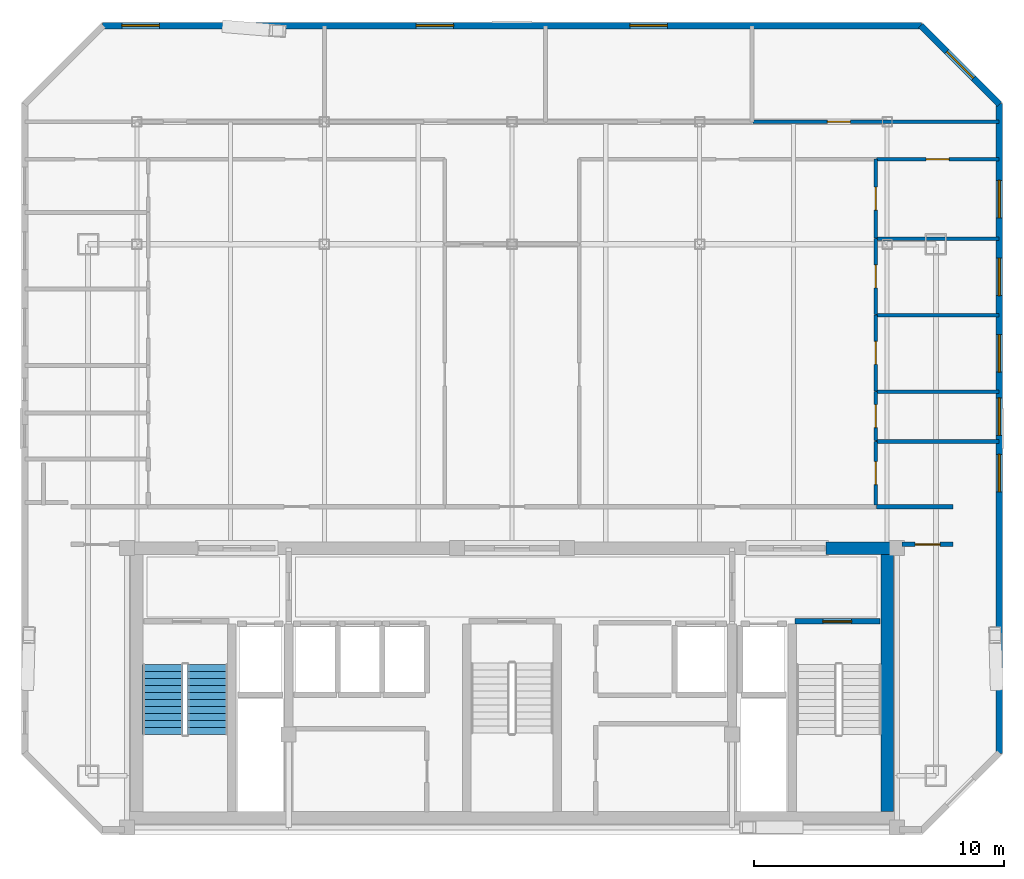
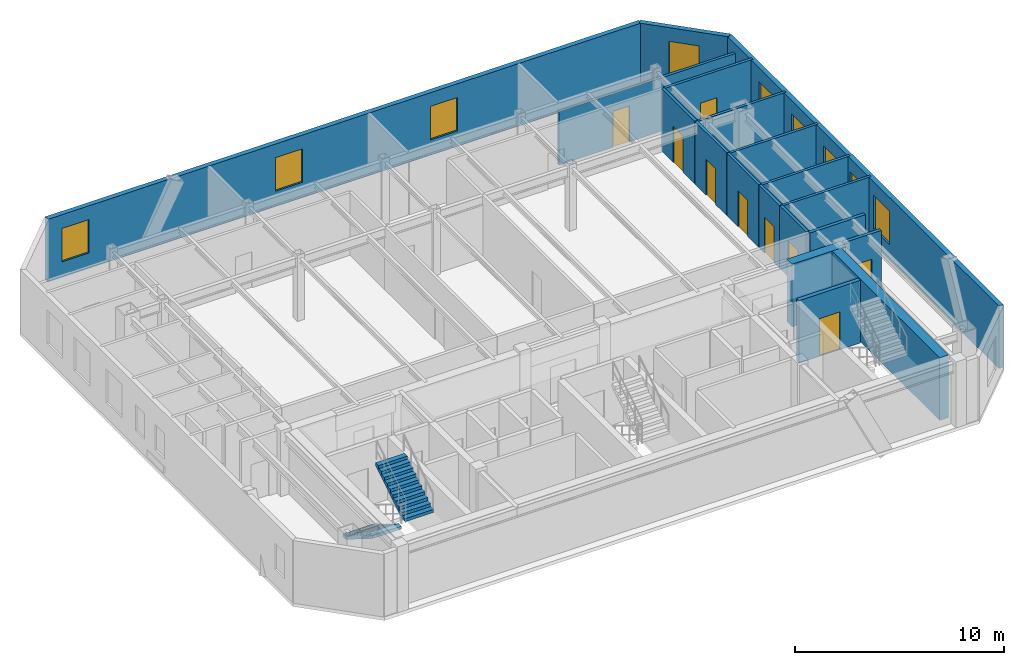
# One storey, part 5 of 7: 19 walls, 9 doors, 9 windows, 2 stair flights, 18 openings, 1 element without a shape of its own.
"""IFC4 building model written with IfcOpenShell, lengths in metres."""

from ifc_helpers import new_model, si_unit, direction, frame, frame_2d, origin, place, context, subcontext, project, spatial, polyline, rectangle, outline, extrude, material, layer, layer_set, type_object, element, fill, aggregate, save


model = new_model("IFC4")

# Units and contexts
model_context = context("Model", 3, precision=1e-05, world=origin(), true_north=direction((0.0, 1.0)))
body_context = subcontext(model_context, "Body", "Model", "MODEL_VIEW")
ifc_project = project(units=[si_unit("LENGTHUNIT", "METRE"), si_unit("AREAUNIT", "SQUARE_METRE"), si_unit("VOLUMEUNIT", "CUBIC_METRE"), si_unit("PLANEANGLEUNIT", "RADIAN"), si_unit("MASSUNIT", "GRAM", prefix="KILO")], contexts=[model_context])

# Site, building, storey
site_placement = place(None, origin())
site = spatial("IfcSite", under=ifc_project, at=site_placement, CompositionType="ELEMENT")
building_placement = place(site_placement, origin())
building = spatial("IfcBuilding", under=site, at=building_placement, Name="Ventersveld Concourse Tower", CompositionType="ELEMENT")
storey_placement = place(building_placement, frame((0.0, 0.0, 324.60009765625)))
storey = spatial("IfcBuildingStorey", under=building, at=storey_placement, Name="L80", CompositionType="ELEMENT", Elevation=324.60009765625)

# Walls
ifc_material_1 = material(Name="Concrete C50/60", Category="concrete")
ifc_layer_1 = layer(ifc_material_1, 0.5)
ifc_layer_set_1 = layer_set([ifc_layer_1], Name="Concrete C50/60")
wall_type_1 = type_object("IfcWallType", Name="WL-CORE-500", PredefinedType="SHEAR", material=ifc_layer_set_1)
wall_1_placement = place(storey_placement, frame((43.75, 0.919921875, 0.0), z_axis=(0.0, 0.0, 1.0), x_axis=(0.0, 1.0, 0.0)))
element("IfcWall", 1, at=wall_1_placement, inside=storey, type_object=wall_type_1, Name="L80 Rear Core East Shear Wall", PredefinedType="SHEAR", context=body_context, shape_type="SweptSolid", body=[
    extrude(rectangle(XDim=10.530029296875, YDim=0.5, at=frame_2d((5.26513671875, 0.0))), origin(), (0.0, 0.0, 1.0), 3.64990234375),
])
wall_2_placement = place(storey_placement, frame((41.300048828125, 11.449951171875, 0.0), z_axis=(0.0, 0.0, 1.0), x_axis=(1.0, 0.0, 0.0)))
element("IfcWall", 2, at=wall_2_placement, inside=storey, type_object=wall_type_1, Name="L80 Rear Core North Shear Wall NE", PredefinedType="SHEAR", context=body_context, shape_type="SweptSolid", body=[
    extrude(rectangle(XDim=2.949951171875, YDim=0.5, at=frame_2d((1.47509765625, 0.0))), origin(), (0.0, 0.0, 1.0), 3.64990234375),
])

# Wall, opening, door
ifc_material_2 = material(Name="Fire-rated autoclaved aerated masonry blockwork", Category="masonry")
ifc_layer_2 = layer(ifc_material_2, 0.179931640625)
ifc_layer_set_2 = layer_set([ifc_layer_2], Name="Fire-rated autoclaved aerated masonry blockwork")
wall_type_2 = type_object("IfcWallType", Name="WL-CORR-180", PredefinedType="PARTITIONING", material=ifc_layer_set_2)
wall_3_placement = place(storey_placement, frame((44.35498046875, 11.60009765625, 0.0), z_axis=(0.0, 0.0, 1.0), x_axis=(1.0, 0.0, 0.0)))
wall_3 = element("IfcWall", 3, at=wall_3_placement, inside=storey, type_object=wall_type_2, Name="L80 Interior Partition SP-L80-SE-OFF-SP-L80-COR", PredefinedType="PARTITIONING", context=body_context, shape_type="SweptSolid", body=[
    extrude(rectangle(XDim=2.0400390625, YDim=0.179931640625, at=frame_2d((1.02001953125, 0.0))), origin(), (0.0, 0.0, 1.0), 3.64990234375),
])
opening_1_placement = place(wall_3_placement, frame((0.52001953125, 0.0, 0.0)))
opening_1 = element("IfcOpeningElement", 4, at=opening_1_placement, cuts=wall_3, Name="Opening FD3", PredefinedType="OPENING", context=body_context, shape_type="SweptSolid", body=[
    extrude(rectangle(XDim=1.0, YDim=2.14990234375, at=frame_2d((0.5, 1.074951171875))), frame((0.0, 0.10009765625, 0.0), z_axis=(0.0, -1.0, 0.0), x_axis=(1.0, 0.0, 0.0)), (0.0, 0.0, 1.0), 0.199951171875),
])
ifc_material_3 = material(Name="Solid-core hardwood veneer timber", Category="wood")
door_type_1 = type_object("IfcDoorType", Name="DR-FLAT-100", OperationType="NOTDEFINED", PredefinedType="DOOR", material=ifc_material_3)
door_1_placement = place(opening_1_placement, origin())
door_1 = element("IfcDoor", 5, at=door_1_placement, inside=storey, type_object=door_type_1, Name="L80 Interior Door SP-L80-SE-OFF to SP-L80-COR (D-L80-3640)", OperationType="SINGLE_SWING_RIGHT", OverallHeight=2.14990234375, OverallWidth=1.0, PredefinedType="DOOR", context=body_context, shape_type="SweptSolid", body=[
    extrude(rectangle(XDim=1.0, YDim=2.14990234375, at=frame_2d((0.5, 1.074951171875))), frame((0.0, 0.02490234375, 0.0), z_axis=(0.0, -1.0, 0.0), x_axis=(1.0, 0.0, 0.0)), (0.0, 0.0, 1.0), 0.050048828125),
])
fill(opening_1, door_1)

# Wall
wall_4_placement = place(storey_placement, frame((43.329833984375, 13.114990234375, 0.0), z_axis=(0.0, 0.0, 1.0), x_axis=(1.0, 0.0, 0.0)))
element("IfcWall", 6, at=wall_4_placement, inside=storey, type_object=wall_type_2, Name="L80 Interior Partition SP-L80-COR-SP-L80-80N1-KIT", PredefinedType="PARTITIONING", context=body_context, shape_type="SweptSolid", body=[
    extrude(rectangle(XDim=3.065185546875, YDim=0.179931640625, at=frame_2d((1.53271484375, 0.0))), origin(), (0.0, 0.0, 1.0), 3.64990234375),
])

# Wall, opening, door
ifc_layer_3 = layer(ifc_material_2, 0.219970703125)
ifc_layer_set_3 = layer_set([ifc_layer_3], Name="Fire-rated autoclaved aerated masonry blockwork")
wall_type_3 = type_object("IfcWallType", Name="WL-HOIST-220", PredefinedType="SOLIDWALL", material=ifc_layer_set_3)
wall_5_placement = place(storey_placement, frame((40.06005859375, 8.52001953125, 0.0), z_axis=(0.0, 0.0, 1.0), x_axis=(1.0, 0.0, 0.0)))
wall_5 = element("IfcWall", 7, at=wall_5_placement, inside=storey, type_object=wall_type_3, Name="L80 Escape Stair ST02 Fire Wall", PredefinedType="SOLIDWALL", context=body_context, shape_type="SweptSolid", body=[
    extrude(rectangle(XDim=3.39990234375, YDim=0.219970703125, at=frame_2d((1.699951171875, 0.0))), origin(), (0.0, 0.0, 1.0), 3.64990234375),
])
opening_2_placement = place(wall_5_placement, frame((1.125, 0.0, 0.0)))
opening_2 = element("IfcOpeningElement", 8, at=opening_2_placement, cuts=wall_5, Name="Opening FD1", PredefinedType="OPENING", context=body_context, shape_type="SweptSolid", body=[
    extrude(rectangle(XDim=1.14990234375, YDim=2.199951171875, at=frame_2d((0.574951171875, 1.10009765625))), frame((0.0, 0.1201171875, 0.0), z_axis=(0.0, -1.0, 0.0), x_axis=(1.0, 0.0, 0.0)), (0.0, 0.0, 1.0), 0.239990234375),
])
ifc_material_4 = material(Name="Galvanised painted steel", Category="steel")
door_type_2 = type_object("IfcDoorType", Name="DR-STAIR-115", OperationType="NOTDEFINED", PredefinedType="DOOR", material=ifc_material_4)
door_2_placement = place(opening_2_placement, origin())
door_2 = element("IfcDoor", 9, at=door_2_placement, inside=storey, type_object=door_type_2, Name="L80 Escape Stair Door ST02 (SD-L80-3629)", OperationType="SINGLE_SWING_RIGHT", OverallHeight=2.199951171875, OverallWidth=1.14990234375, PredefinedType="DOOR", context=body_context, shape_type="SweptSolid", body=[
    extrude(rectangle(XDim=1.14990234375, YDim=2.199951171875, at=frame_2d((0.574951171875, 1.10009765625))), frame((0.0, 0.02490234375, 0.0), z_axis=(0.0, -1.0, 0.0), x_axis=(1.0, 0.0, 0.0)), (0.0, 0.0, 1.0), 0.050048828125),
])
fill(opening_2, door_2)

ifc_material_5 = material(Name="Autoclaved aerated masonry blockwork", Category="masonry")
ifc_layer_4 = layer(ifc_material_5, 0.14990234375)
ifc_layer_set_4 = layer_set([ifc_layer_4], Name="Autoclaved aerated masonry blockwork")
wall_type_4 = type_object("IfcWallType", Name="WL-INT-150", PredefinedType="PARTITIONING", material=ifc_layer_set_4)
wall_6_placement = place(storey_placement, frame((43.294921875, 13.18505859375, 0.0), z_axis=(0.0, 0.0, 1.0), x_axis=(0.0, 1.0, 0.0)))
wall_6 = element("IfcWall", 10, at=wall_6_placement, inside=storey, type_object=wall_type_4, Name="L80 Interior Partition SP-L80-80N1-EGAL1-SP-L80-80N1-KIT", PredefinedType="PARTITIONING", context=body_context, shape_type="SweptSolid", body=[
    extrude(rectangle(XDim=2.531494140625, YDim=0.14990234375, at=frame_2d((1.265625, 0.0))), origin(), (0.0, 0.0, 1.0), 3.64990234375),
])
opening_3_placement = place(wall_6_placement, frame((0.8056640625, 0.0, 0.0)))
opening_3 = element("IfcOpeningElement", 11, at=opening_3_placement, cuts=wall_6, Name="Opening ID1", PredefinedType="OPENING", context=body_context, shape_type="SweptSolid", body=[
    extrude(rectangle(XDim=0.919921875, YDim=2.10009765625, at=frame_2d((0.4599609375, 1.050048828125))), frame((0.0, 0.0849609375, 0.0), z_axis=(0.0, -1.0, 0.0), x_axis=(1.0, 0.0, 0.0)), (0.0, 0.0, 1.0), 0.169921875),
])
door_type_3 = type_object("IfcDoorType", Name="DR-ROOM-092", OperationType="NOTDEFINED", PredefinedType="DOOR", material=ifc_material_3)
door_3_placement = place(opening_3_placement, origin())
door_3 = element("IfcDoor", 12, at=door_3_placement, inside=storey, type_object=door_type_3, Name="L80 Interior Door SP-L80-80N1-EGAL1 to SP-L80-80N1-KIT (D-L80-3654)", OperationType="SINGLE_SWING_RIGHT", OverallHeight=2.10009765625, OverallWidth=0.919921875, PredefinedType="DOOR", context=body_context, shape_type="SweptSolid", body=[
    extrude(rectangle(XDim=0.919921875, YDim=2.10009765625, at=frame_2d((0.4599609375, 1.050048828125))), frame((0.0, 0.02490234375, 0.0), z_axis=(0.0, -1.0, 0.0), x_axis=(1.0, 0.0, 0.0)), (0.0, 0.0, 1.0), 0.050048828125),
])
fill(opening_3, door_3)

wall_7_placement = place(storey_placement, frame((43.294921875, 15.74658203125, 0.0), z_axis=(0.0, 0.0, 1.0), x_axis=(0.0, 1.0, 0.0)))
wall_7 = element("IfcWall", 13, at=wall_7_placement, inside=storey, type_object=wall_type_4, Name="L80 Interior Partition SP-L80-80N1-EGAL1-SP-L80-80N1-PANR7", PredefinedType="PARTITIONING", context=body_context, shape_type="SweptSolid", body=[
    extrude(rectangle(XDim=1.966064453125, YDim=0.14990234375, at=frame_2d((0.98291015625, 0.0))), origin(), (0.0, 0.0, 1.0), 3.64990234375),
])
opening_4_placement = place(wall_7_placement, frame((0.52294921875, 0.0, 0.0)))
opening_4 = element("IfcOpeningElement", 14, at=opening_4_placement, cuts=wall_7, Name="Opening ID1", PredefinedType="OPENING", context=body_context, shape_type="SweptSolid", body=[
    extrude(rectangle(XDim=0.919921875, YDim=2.10009765625, at=frame_2d((0.4599609375, 1.050048828125))), frame((0.0, 0.0849609375, 0.0), z_axis=(0.0, -1.0, 0.0), x_axis=(1.0, 0.0, 0.0)), (0.0, 0.0, 1.0), 0.169921875),
])
door_4_placement = place(opening_4_placement, origin())
door_4 = element("IfcDoor", 15, at=door_4_placement, inside=storey, type_object=door_type_3, Name="L80 Interior Door SP-L80-80N1-EGAL1 to SP-L80-80N1-PANR7 (D-L80-3655)", OperationType="SINGLE_SWING_LEFT", OverallHeight=2.10009765625, OverallWidth=0.919921875, PredefinedType="DOOR", context=body_context, shape_type="SweptSolid", body=[
    extrude(rectangle(XDim=0.919921875, YDim=2.10009765625, at=frame_2d((0.4599609375, 1.050048828125))), frame((0.0, 0.02490234375, 0.0), z_axis=(0.0, -1.0, 0.0), x_axis=(1.0, 0.0, 0.0)), (0.0, 0.0, 1.0), 0.050048828125),
])
fill(opening_4, door_4)

wall_8_placement = place(storey_placement, frame((43.294921875, 17.74267578125, 0.0), z_axis=(0.0, 0.0, 1.0), x_axis=(0.0, 1.0, 0.0)))
wall_8 = element("IfcWall", 16, at=wall_8_placement, inside=storey, type_object=wall_type_4, Name="L80 Interior Partition SP-L80-80N1-EGAL1-SP-L80-80N1-OFFR1", PredefinedType="PARTITIONING", context=body_context, shape_type="SweptSolid", body=[
    extrude(rectangle(XDim=3.02783203125, YDim=0.14990234375, at=frame_2d((1.513916015625, 0.0))), origin(), (0.0, 0.0, 1.0), 3.64990234375),
])
opening_5_placement = place(wall_8_placement, frame((1.053955078125, 0.0, 0.0)))
opening_5 = element("IfcOpeningElement", 17, at=opening_5_placement, cuts=wall_8, Name="Opening ID1", PredefinedType="OPENING", context=body_context, shape_type="SweptSolid", body=[
    extrude(rectangle(XDim=0.919921875, YDim=2.10009765625, at=frame_2d((0.4599609375, 1.050048828125))), frame((0.0, 0.0849609375, 0.0), z_axis=(0.0, -1.0, 0.0), x_axis=(1.0, 0.0, 0.0)), (0.0, 0.0, 1.0), 0.169921875),
])
door_5_placement = place(opening_5_placement, origin())
door_5 = element("IfcDoor", 18, at=door_5_placement, inside=storey, type_object=door_type_3, Name="L80 Interior Door SP-L80-80N1-EGAL1 to SP-L80-80N1-OFFR1 (D-L80-3656)", OperationType="SINGLE_SWING_RIGHT", OverallHeight=2.10009765625, OverallWidth=0.919921875, PredefinedType="DOOR", context=body_context, shape_type="SweptSolid", body=[
    extrude(rectangle(XDim=0.919921875, YDim=2.10009765625, at=frame_2d((0.4599609375, 1.050048828125))), frame((0.0, 0.02490234375, 0.0), z_axis=(0.0, -1.0, 0.0), x_axis=(1.0, 0.0, 0.0)), (0.0, 0.0, 1.0), 0.050048828125),
])
fill(opening_5, door_5)

wall_9_placement = place(storey_placement, frame((43.294921875, 20.800537109375, 0.0), z_axis=(0.0, 0.0, 1.0), x_axis=(0.0, 1.0, 0.0)))
wall_9 = element("IfcWall", 19, at=wall_9_placement, inside=storey, type_object=wall_type_4, Name="L80 Interior Partition SP-L80-80N1-EGAL1-SP-L80-80N1-OFFR3", PredefinedType="PARTITIONING", context=body_context, shape_type="SweptSolid", body=[
    extrude(rectangle(XDim=3.028076171875, YDim=0.14990234375, at=frame_2d((1.51416015625, 0.0))), origin(), (0.0, 0.0, 1.0), 3.64990234375),
])
opening_6_placement = place(wall_9_placement, frame((1.053955078125, 0.0, 0.0)))
opening_6 = element("IfcOpeningElement", 20, at=opening_6_placement, cuts=wall_9, Name="Opening ID1", PredefinedType="OPENING", context=body_context, shape_type="SweptSolid", body=[
    extrude(rectangle(XDim=0.919921875, YDim=2.10009765625, at=frame_2d((0.4599609375, 1.050048828125))), frame((0.0, 0.0849609375, 0.0), z_axis=(0.0, -1.0, 0.0), x_axis=(1.0, 0.0, 0.0)), (0.0, 0.0, 1.0), 0.169921875),
])
door_6_placement = place(opening_6_placement, origin())
door_6 = element("IfcDoor", 21, at=door_6_placement, inside=storey, type_object=door_type_3, Name="L80 Interior Door SP-L80-80N1-EGAL1 to SP-L80-80N1-OFFR3 (D-L80-3657)", OperationType="SINGLE_SWING_LEFT", OverallHeight=2.10009765625, OverallWidth=0.919921875, PredefinedType="DOOR", context=body_context, shape_type="SweptSolid", body=[
    extrude(rectangle(XDim=0.919921875, YDim=2.10009765625, at=frame_2d((0.4599609375, 1.050048828125))), frame((0.0, 0.02490234375, 0.0), z_axis=(0.0, -1.0, 0.0), x_axis=(1.0, 0.0, 0.0)), (0.0, 0.0, 1.0), 0.050048828125),
])
fill(opening_6, door_6)

wall_10_placement = place(storey_placement, frame((43.294921875, 23.858642578125, 0.0), z_axis=(0.0, 0.0, 1.0), x_axis=(0.0, 1.0, 0.0)))
wall_10 = element("IfcWall", 22, at=wall_10_placement, inside=storey, type_object=wall_type_4, Name="L80 Interior Partition SP-L80-80N1-EGAL1-SP-L80-80N1-OFFR5", PredefinedType="PARTITIONING", context=body_context, shape_type="SweptSolid", body=[
    extrude(rectangle(XDim=3.146240234375, YDim=0.14990234375, at=frame_2d((1.5732421875, 0.0))), origin(), (0.0, 0.0, 1.0), 3.64990234375),
])
opening_7_placement = place(wall_10_placement, frame((1.11328125, 0.0, 0.0)))
opening_7 = element("IfcOpeningElement", 23, at=opening_7_placement, cuts=wall_10, Name="Opening ID1", PredefinedType="OPENING", context=body_context, shape_type="SweptSolid", body=[
    extrude(rectangle(XDim=0.919921875, YDim=2.10009765625, at=frame_2d((0.4599609375, 1.050048828125))), frame((0.0, 0.0849609375, 0.0), z_axis=(0.0, -1.0, 0.0), x_axis=(1.0, 0.0, 0.0)), (0.0, 0.0, 1.0), 0.169921875),
])
door_7_placement = place(opening_7_placement, origin())
door_7 = element("IfcDoor", 24, at=door_7_placement, inside=storey, type_object=door_type_3, Name="L80 Interior Door SP-L80-80N1-EGAL1 to SP-L80-80N1-OFFR5 (D-L80-3658)", OperationType="SINGLE_SWING_RIGHT", OverallHeight=2.10009765625, OverallWidth=0.919921875, PredefinedType="DOOR", context=body_context, shape_type="SweptSolid", body=[
    extrude(rectangle(XDim=0.919921875, YDim=2.10009765625, at=frame_2d((0.4599609375, 1.050048828125))), frame((0.0, 0.02490234375, 0.0), z_axis=(0.0, -1.0, 0.0), x_axis=(1.0, 0.0, 0.0)), (0.0, 0.0, 1.0), 0.050048828125),
])
fill(opening_7, door_7)

wall_11_placement = place(storey_placement, frame((43.329833984375, 27.0, 0.0), z_axis=(0.0, 0.0, 1.0), x_axis=(1.0, 0.0, 0.0)))
wall_11 = element("IfcWall", 25, at=wall_11_placement, inside=storey, type_object=wall_type_4, Name="L80 Interior Partition SP-L80-80N1-LIV-SP-L80-80N1-OFFR5", PredefinedType="PARTITIONING", context=body_context, shape_type="SweptSolid", body=[
    extrude(rectangle(XDim=4.885498046875, YDim=0.14990234375, at=frame_2d((2.44287109375, 0.0))), origin(), (0.0, 0.0, 1.0), 3.64990234375),
])
opening_8_placement = place(wall_11_placement, frame((1.98291015625, 0.0, 0.0)))
opening_8 = element("IfcOpeningElement", 26, at=opening_8_placement, cuts=wall_11, Name="Opening ID1", PredefinedType="OPENING", context=body_context, shape_type="SweptSolid", body=[
    extrude(rectangle(XDim=0.919921875, YDim=2.10009765625, at=frame_2d((0.4599609375, 1.050048828125))), frame((0.0, 0.0849609375, 0.0), z_axis=(0.0, -1.0, 0.0), x_axis=(1.0, 0.0, 0.0)), (0.0, 0.0, 1.0), 0.169921875),
])
door_8_placement = place(opening_8_placement, origin())
door_8 = element("IfcDoor", 27, at=door_8_placement, inside=storey, type_object=door_type_3, Name="L80 Interior Door SP-L80-80N1-LIV to SP-L80-80N1-OFFR5 (D-L80-3661)", OperationType="SINGLE_SWING_LEFT", OverallHeight=2.10009765625, OverallWidth=0.919921875, PredefinedType="DOOR", context=body_context, shape_type="SweptSolid", body=[
    extrude(rectangle(XDim=0.919921875, YDim=2.10009765625, at=frame_2d((0.4599609375, 1.050048828125))), frame((0.0, 0.02490234375, 0.0), z_axis=(0.0, -1.0, 0.0), x_axis=(1.0, 0.0, 0.0)), (0.0, 0.0, 1.0), 0.050048828125),
])
fill(opening_8, door_8)

wall_12_placement = place(storey_placement, frame((38.378662109375, 28.5, 0.0), z_axis=(0.0, 0.0, 1.0), x_axis=(1.0, 0.0, 0.0)))
wall_12 = element("IfcWall", 28, at=wall_12_placement, inside=storey, type_object=wall_type_4, Name="L80 Interior Partition SP-L80-80N1-LIV-SP-L80-80N1-BR4", PredefinedType="PARTITIONING", context=body_context, shape_type="SweptSolid", body=[
    extrude(rectangle(XDim=9.836669921875, YDim=0.14990234375, at=frame_2d((4.91845703125, 0.0))), origin(), (0.0, 0.0, 1.0), 3.11669921875),
])
opening_9_placement = place(wall_12_placement, frame((2.98291015625, 0.0, 0.0)))
opening_9 = element("IfcOpeningElement", 29, at=opening_9_placement, cuts=wall_12, Name="Opening ID1", PredefinedType="OPENING", context=body_context, shape_type="SweptSolid", body=[
    extrude(rectangle(XDim=0.919921875, YDim=2.10009765625, at=frame_2d((0.4599609375, 1.050048828125))), frame((0.0, 0.0849609375, 0.0), z_axis=(0.0, -1.0, 0.0), x_axis=(1.0, 0.0, 0.0)), (0.0, 0.0, 1.0), 0.169921875),
])
door_9_placement = place(opening_9_placement, origin())
door_9 = element("IfcDoor", 30, at=door_9_placement, inside=storey, type_object=door_type_3, Name="L80 Interior Door SP-L80-80N1-LIV to SP-L80-80N1-BR4 (D-L80-3665)", OperationType="SINGLE_SWING_LEFT", OverallHeight=2.10009765625, OverallWidth=0.919921875, PredefinedType="DOOR", context=body_context, shape_type="SweptSolid", body=[
    extrude(rectangle(XDim=0.919921875, YDim=2.10009765625, at=frame_2d((0.4599609375, 1.050048828125))), frame((0.0, 0.02490234375, 0.0), z_axis=(0.0, -1.0, 0.0), x_axis=(1.0, 0.0, 0.0)), (0.0, 0.0, 1.0), 0.050048828125),
])
fill(opening_9, door_9)

# Walls
for number, where, z_axis, x_axis, name in (
    (31, (43.289794921875, 15.71142578125, 0.0), (0.0, 0.0, 1.0), (1.0, 0.0, 0.0), "L80 Interior Partition SP-L80-80N1-KIT-SP-L80-80N1-PANR7"),
    (32, (43.289794921875, 17.70751953125, 0.0), (0.0, 0.0, 1.0), (1.0, 0.0, 0.0), "L80 Interior Partition SP-L80-80N1-PANR7-SP-L80-80N1-OFFR1"),
    (33, (43.289794921875, 20.765625, 0.0), (0.0, 0.0, 1.0), (1.0, 0.0, 0.0), "L80 Interior Partition SP-L80-80N1-OFFR1-SP-L80-80N1-OFFR3"),
    (34, (43.289794921875, 23.823486328125, 0.0), (0.0, 0.0, 1.0), (1.0, 0.0, 0.0), "L80 Interior Partition SP-L80-80N1-OFFR3-SP-L80-80N1-OFFR5"),
):
    element("IfcWall", number, at=place(storey_placement, frame(where, z_axis=z_axis, x_axis=x_axis)), inside=storey, type_object=wall_type_4, Name=name, PredefinedType="PARTITIONING", context=body_context, shape_type="SweptSolid", body=[
        extrude(rectangle(XDim=4.925537109375, YDim=0.14990234375, at=frame_2d((2.462890625, 0.0))), origin(), (0.0, 0.0, 1.0), 3.64990234375),
    ])

# Wall, openings, windows
ifc_material_6 = material(Name="Precast concrete C45/55", Category="concrete")
ifc_layer_5 = layer(ifc_material_6, 0.260009765625)
ifc_layer_set_5 = layer_set([ifc_layer_5], Name="Precast concrete C45/55")
wall_type_5 = type_object("IfcWallType", Name="WL-PREC-260", PredefinedType="SOLIDWALL", material=ifc_layer_set_5)
wall_13_placement = place(storey_placement, frame((48.23486328125, 3.239990234375, 0.0), z_axis=(0.0, 0.0, 1.0), x_axis=(0.0, 1.0, 0.0)))
wall_13 = element("IfcWall", 35, at=wall_13_placement, inside=storey, type_object=wall_type_5, Name="L80 Highveld Precast Facade Wall E03", PredefinedType="SOLIDWALL", context=body_context, shape_type="SweptSolid", body=[
    extrude(rectangle(XDim=25.99072265625, YDim=0.260009765625, at=frame_2d((12.995361328125, 0.0))), origin(), (0.0, 0.0, 1.0), 3.64990234375),
])
opening_10_placement = place(wall_13_placement, frame((10.460693359375, 0.0, 0.89990234375)))
opening_10 = element("IfcOpeningElement", 36, at=opening_10_placement, cuts=wall_13, Name="Opening W1", PredefinedType="OPENING", context=body_context, shape_type="SweptSolid", body=[
    extrude(rectangle(XDim=1.5, YDim=1.949951171875, at=frame_2d((0.75, 0.97509765625))), frame((0.0, 0.14013671875, 0.0), z_axis=(0.0, -1.0, 0.0), x_axis=(1.0, 0.0, 0.0)), (0.0, 0.0, 1.0), 0.280029296875),
])
opening_11_placement = place(wall_13_placement, frame((12.719482421875, 0.0, 0.89990234375)))
opening_11 = element("IfcOpeningElement", 37, at=opening_11_placement, cuts=wall_13, Name="Opening W1", PredefinedType="OPENING", context=body_context, shape_type="SweptSolid", body=[
    extrude(rectangle(XDim=1.5, YDim=1.949951171875, at=frame_2d((0.75, 0.97509765625))), frame((0.0, 0.14013671875, 0.0), z_axis=(0.0, -1.0, 0.0), x_axis=(1.0, 0.0, 0.0)), (0.0, 0.0, 1.0), 0.280029296875),
])
opening_12_placement = place(wall_13_placement, frame((15.24658203125, 0.0, 0.89990234375)))
opening_12 = element("IfcOpeningElement", 38, at=opening_12_placement, cuts=wall_13, Name="Opening W1", PredefinedType="OPENING", context=body_context, shape_type="SweptSolid", body=[
    extrude(rectangle(XDim=1.5, YDim=1.949951171875, at=frame_2d((0.75, 0.97509765625))), frame((0.0, 0.14013671875, 0.0), z_axis=(0.0, -1.0, 0.0), x_axis=(1.0, 0.0, 0.0)), (0.0, 0.0, 1.0), 0.280029296875),
])
opening_13_placement = place(wall_13_placement, frame((18.3046875, 0.0, 0.89990234375)))
opening_13 = element("IfcOpeningElement", 39, at=opening_13_placement, cuts=wall_13, Name="Opening W1", PredefinedType="OPENING", context=body_context, shape_type="SweptSolid", body=[
    extrude(rectangle(XDim=1.5, YDim=1.949951171875, at=frame_2d((0.75, 0.97509765625))), frame((0.0, 0.14013671875, 0.0), z_axis=(0.0, -1.0, 0.0), x_axis=(1.0, 0.0, 0.0)), (0.0, 0.0, 1.0), 0.280029296875),
])
opening_14_placement = place(wall_13_placement, frame((21.421875, 0.0, 0.89990234375)))
opening_14 = element("IfcOpeningElement", 40, at=opening_14_placement, cuts=wall_13, Name="Opening W1", PredefinedType="OPENING", context=body_context, shape_type="SweptSolid", body=[
    extrude(rectangle(XDim=1.5, YDim=1.949951171875, at=frame_2d((0.75, 0.97509765625))), frame((0.0, 0.14013671875, 0.0), z_axis=(0.0, -1.0, 0.0), x_axis=(1.0, 0.0, 0.0)), (0.0, 0.0, 1.0), 0.280029296875),
])
ifc_material_7 = material(Name="Tempered acoustic Low-E IGU", Category="glass")
window_type = type_object("IfcWindowType", Name="WIN-150x210", PartitioningType="SINGLE_PANEL", PredefinedType="WINDOW", material=ifc_material_7)
window_1_placement = place(opening_10_placement, origin())
window_1 = element("IfcWindow", 41, at=window_1_placement, inside=storey, type_object=window_type, Name="L80 Punched Low-E Window W-1134", OverallHeight=1.949951171875, OverallWidth=1.5, PartitioningType="SINGLE_PANEL", PredefinedType="WINDOW", context=body_context, shape_type="SweptSolid", body=[
    extrude(rectangle(XDim=1.5, YDim=1.949951171875, at=frame_2d((0.75, 0.97509765625))), frame((0.0, 0.030029296875, 0.0), z_axis=(0.0, -1.0, 0.0), x_axis=(1.0, 0.0, 0.0)), (0.0, 0.0, 1.0), 0.06005859375),
])
fill(opening_10, window_1)
window_2_placement = place(opening_11_placement, origin())
window_2 = element("IfcWindow", 42, at=window_2_placement, inside=storey, type_object=window_type, Name="L80 Punched Low-E Window W-1135", OverallHeight=1.949951171875, OverallWidth=1.5, PartitioningType="SINGLE_PANEL", PredefinedType="WINDOW", context=body_context, shape_type="SweptSolid", body=[
    extrude(rectangle(XDim=1.5, YDim=1.949951171875, at=frame_2d((0.75, 0.97509765625))), frame((0.0, 0.030029296875, 0.0), z_axis=(0.0, -1.0, 0.0), x_axis=(1.0, 0.0, 0.0)), (0.0, 0.0, 1.0), 0.06005859375),
])
fill(opening_11, window_2)
window_3_placement = place(opening_12_placement, origin())
window_3 = element("IfcWindow", 43, at=window_3_placement, inside=storey, type_object=window_type, Name="L80 Punched Low-E Window W-1136", OverallHeight=1.949951171875, OverallWidth=1.5, PartitioningType="SINGLE_PANEL", PredefinedType="WINDOW", context=body_context, shape_type="SweptSolid", body=[
    extrude(rectangle(XDim=1.5, YDim=1.949951171875, at=frame_2d((0.75, 0.97509765625))), frame((0.0, 0.030029296875, 0.0), z_axis=(0.0, -1.0, 0.0), x_axis=(1.0, 0.0, 0.0)), (0.0, 0.0, 1.0), 0.06005859375),
])
fill(opening_12, window_3)
window_4_placement = place(opening_13_placement, origin())
window_4 = element("IfcWindow", 44, at=window_4_placement, inside=storey, type_object=window_type, Name="L80 Punched Low-E Window W-1137", OverallHeight=1.949951171875, OverallWidth=1.5, PartitioningType="SINGLE_PANEL", PredefinedType="WINDOW", context=body_context, shape_type="SweptSolid", body=[
    extrude(rectangle(XDim=1.5, YDim=1.949951171875, at=frame_2d((0.75, 0.97509765625))), frame((0.0, 0.030029296875, 0.0), z_axis=(0.0, -1.0, 0.0), x_axis=(1.0, 0.0, 0.0)), (0.0, 0.0, 1.0), 0.06005859375),
])
fill(opening_13, window_4)
window_5_placement = place(opening_14_placement, origin())
window_5 = element("IfcWindow", 45, at=window_5_placement, inside=storey, type_object=window_type, Name="L80 Punched Low-E Window W-1138", OverallHeight=1.949951171875, OverallWidth=1.5, PartitioningType="SINGLE_PANEL", PredefinedType="WINDOW", context=body_context, shape_type="SweptSolid", body=[
    extrude(rectangle(XDim=1.5, YDim=1.949951171875, at=frame_2d((0.75, 0.97509765625))), frame((0.0, 0.030029296875, 0.0), z_axis=(0.0, -1.0, 0.0), x_axis=(1.0, 0.0, 0.0)), (0.0, 0.0, 1.0), 0.06005859375),
])
fill(opening_14, window_5)

# Wall, opening, window
wall_14_placement = place(storey_placement, frame((48.24462890625, 29.20703125, 0.0), z_axis=(0.0, 0.0, 1.0), x_axis=(-0.707106781187, 0.707106781187, 0.0)))
wall_14 = element("IfcWall", 46, at=wall_14_placement, inside=storey, type_object=wall_type_5, Name="L80 Highveld Precast Facade Wall E04", PredefinedType="SOLIDWALL", context=body_context, shape_type="SweptSolid", body=[
    extrude(rectangle(XDim=4.4453125, YDim=0.260009765625, at=frame_2d((2.22265625, 0.0))), origin(), (0.0, 0.0, 1.0), 3.64990234375),
])
opening_15_placement = place(wall_14_placement, frame((1.47265625, 0.0, 0.89990234375)))
opening_15 = element("IfcOpeningElement", 47, at=opening_15_placement, cuts=wall_14, Name="Opening W1", PredefinedType="OPENING", context=body_context, shape_type="SweptSolid", body=[
    extrude(rectangle(XDim=1.5, YDim=1.949951171875, at=frame_2d((0.75, 0.97509765625))), frame((0.0, 0.14013671875, 0.0), z_axis=(0.0, -1.0, 0.0), x_axis=(1.0, 0.0, 0.0)), (0.0, 0.0, 1.0), 0.280029296875),
])
window_6_placement = place(opening_15_placement, origin())
window_6 = element("IfcWindow", 48, at=window_6_placement, inside=storey, type_object=window_type, Name="L80 Punched Low-E Window W-1142", OverallHeight=1.949951171875, OverallWidth=1.5, PartitioningType="SINGLE_PANEL", PredefinedType="WINDOW", context=body_context, shape_type="SweptSolid", body=[
    extrude(rectangle(XDim=1.5, YDim=1.949951171875, at=frame_2d((0.75, 0.97509765625))), frame((0.0, 0.030029296875, 0.0), z_axis=(0.0, -1.0, 0.0), x_axis=(1.0, 0.0, 0.0)), (0.0, 0.0, 1.0), 0.06005859375),
])
fill(opening_15, window_6)

# Wall, openings, windows
wall_15_placement = place(storey_placement, frame((45.124755859375, 32.340576171875, 0.0), z_axis=(0.0, 0.0, 1.0), x_axis=(-1.0, 0.0, 0.0)))
wall_15 = element("IfcWall", 49, at=wall_15_placement, inside=storey, type_object=wall_type_5, Name="L80 Highveld Precast Facade Wall E05", PredefinedType="SOLIDWALL", context=body_context, shape_type="SweptSolid", body=[
    extrude(rectangle(XDim=32.74951171875, YDim=0.260009765625, at=frame_2d((16.374755859375, 0.0))), origin(), (0.0, 0.0, 1.0), 3.64990234375),
])
opening_16_placement = place(wall_15_placement, frame((30.4794921875, 0.0, 0.89990234375)))
opening_16 = element("IfcOpeningElement", 50, at=opening_16_placement, cuts=wall_15, Name="Opening W1", PredefinedType="OPENING", context=body_context, shape_type="SweptSolid", body=[
    extrude(rectangle(XDim=1.5, YDim=1.949951171875, at=frame_2d((0.75, 0.97509765625))), frame((0.0, 0.14013671875, 0.0), z_axis=(0.0, -1.0, 0.0), x_axis=(1.0, 0.0, 0.0)), (0.0, 0.0, 1.0), 0.280029296875),
])
opening_17_placement = place(wall_15_placement, frame((18.70703125, 0.0, 0.89990234375)))
opening_17 = element("IfcOpeningElement", 51, at=opening_17_placement, cuts=wall_15, Name="Opening W1", PredefinedType="OPENING", context=body_context, shape_type="SweptSolid", body=[
    extrude(rectangle(XDim=1.5, YDim=1.949951171875, at=frame_2d((0.75, 0.97509765625))), frame((0.0, 0.14013671875, 0.0), z_axis=(0.0, -1.0, 0.0), x_axis=(1.0, 0.0, 0.0)), (0.0, 0.0, 1.0), 0.280029296875),
])
opening_18_placement = place(wall_15_placement, frame((10.16015625, 0.0, 0.89990234375)))
opening_18 = element("IfcOpeningElement", 52, at=opening_18_placement, cuts=wall_15, Name="Opening W1", PredefinedType="OPENING", context=body_context, shape_type="SweptSolid", body=[
    extrude(rectangle(XDim=1.5, YDim=1.949951171875, at=frame_2d((0.75, 0.97509765625))), frame((0.0, 0.14013671875, 0.0), z_axis=(0.0, -1.0, 0.0), x_axis=(1.0, 0.0, 0.0)), (0.0, 0.0, 1.0), 0.280029296875),
])
window_7_placement = place(opening_16_placement, origin())
window_7 = element("IfcWindow", 53, at=window_7_placement, inside=storey, type_object=window_type, Name="L80 Punched Low-E Window W-1139", OverallHeight=1.949951171875, OverallWidth=1.5, PartitioningType="SINGLE_PANEL", PredefinedType="WINDOW", context=body_context, shape_type="SweptSolid", body=[
    extrude(rectangle(XDim=1.5, YDim=1.949951171875, at=frame_2d((0.75, 0.97509765625))), frame((0.0, 0.030029296875, 0.0), z_axis=(0.0, -1.0, 0.0), x_axis=(1.0, 0.0, 0.0)), (0.0, 0.0, 1.0), 0.06005859375),
])
fill(opening_16, window_7)
window_8_placement = place(opening_17_placement, origin())
window_8 = element("IfcWindow", 54, at=window_8_placement, inside=storey, type_object=window_type, Name="L80 Punched Low-E Window W-1140", OverallHeight=1.949951171875, OverallWidth=1.5, PartitioningType="SINGLE_PANEL", PredefinedType="WINDOW", context=body_context, shape_type="SweptSolid", body=[
    extrude(rectangle(XDim=1.5, YDim=1.949951171875, at=frame_2d((0.75, 0.97509765625))), frame((0.0, 0.030029296875, 0.0), z_axis=(0.0, -1.0, 0.0), x_axis=(1.0, 0.0, 0.0)), (0.0, 0.0, 1.0), 0.06005859375),
])
fill(opening_17, window_8)
window_9_placement = place(opening_18_placement, origin())
window_9 = element("IfcWindow", 55, at=window_9_placement, inside=storey, type_object=window_type, Name="L80 Punched Low-E Window W-1141", OverallHeight=1.949951171875, OverallWidth=1.5, PartitioningType="SINGLE_PANEL", PredefinedType="WINDOW", context=body_context, shape_type="SweptSolid", body=[
    extrude(rectangle(XDim=1.5, YDim=1.949951171875, at=frame_2d((0.75, 0.97509765625))), frame((0.0, 0.030029296875, 0.0), z_axis=(0.0, -1.0, 0.0), x_axis=(1.0, 0.0, 0.0)), (0.0, 0.0, 1.0), 0.06005859375),
])
fill(opening_18, window_9)

# Stair, stair flights
stair_type = type_object("IfcStairType", Name="ST-DOG-160", PredefinedType="HALF_TURN_STAIR", material=ifc_material_1)
stair_placement = place(storey_placement, origin())
stair = element("IfcStair", 56, at=stair_placement, inside=storey, type_object=stair_type, Name="L80 Protected Tower Escape Stair ST-01", PredefinedType="HALF_TURN_STAIR")
stair_flight_type = type_object("IfcStairFlightType", Name="STF-RC-160", PredefinedType="STRAIGHT", material=ifc_material_1)
stair_flight_1_placement = place(storey_placement, frame((14.780029296875, 6.800048828125, 0.0), z_axis=(0.0, 0.0, 1.0), x_axis=(0.0, -1.0, 0.0)))
stair_flight_1 = element("IfcStairFlight", 57, at=stair_flight_1_placement, type_object=stair_flight_type, Name="ST-01 flight 1", NumberOfRisers=11, NumberOfTreads=10, PredefinedType="STRAIGHT", RiserHeight=0.175, TreadLength=0.28, context=body_context, shape_type="SweptSolid", body=[
    extrude(outline(polyline([(0.0, 0.0), (0.0, 0.175048828125), (0.280029296875, 0.175048828125), (0.280029296875, 0.35009765625), (0.56005859375, 0.35009765625), (0.56005859375, 0.52490234375), (0.840087890625, 0.52490234375), (0.840087890625, 0.699951171875), (1.1201171875, 0.699951171875), (1.1201171875, 0.875), (1.39990234375, 0.875), (1.39990234375, 1.050048828125), (1.679931640625, 1.050048828125), (1.679931640625, 1.22509765625), (1.9599609375, 1.22509765625), (1.9599609375, 1.39990234375), (2.239990234375, 1.39990234375), (2.239990234375, 1.574951171875), (2.52001953125, 1.574951171875), (2.52001953125, 1.75), (2.800048828125, 1.75), (2.800048828125, 1.925048828125), (2.800048828125, 1.5732421875), (0.28271484375, 0.0), (0.0, 0.0)])), frame((0.0, 0.800048828125, 0.0), z_axis=(0.0, -1.0, 0.0), x_axis=(1.0, 0.0, 0.0)), (0.0, 0.0, 1.0), 1.60009765625),
])
stair_flight_2_placement = place(storey_placement, frame((16.580078125, 4.0, 1.9248046875), z_axis=(0.0, 0.0, 1.0), x_axis=(0.0, 1.0, 0.0)))
stair_flight_2 = element("IfcStairFlight", 58, at=stair_flight_2_placement, type_object=stair_flight_type, Name="ST-01 flight 2", NumberOfRisers=11, NumberOfTreads=10, PredefinedType="STRAIGHT", RiserHeight=0.175, TreadLength=0.28, context=body_context, shape_type="SweptSolid", body=[
    extrude(outline(polyline([(0.0, 0.0), (0.0, 0.175048828125), (0.280029296875, 0.175048828125), (0.280029296875, 0.35009765625), (0.56005859375, 0.35009765625), (0.56005859375, 0.52490234375), (0.840087890625, 0.52490234375), (0.840087890625, 0.699951171875), (1.1201171875, 0.699951171875), (1.1201171875, 0.875), (1.39990234375, 0.875), (1.39990234375, 1.050048828125), (1.679931640625, 1.050048828125), (1.679931640625, 1.22509765625), (1.9599609375, 1.22509765625), (1.9599609375, 1.39990234375), (2.239990234375, 1.39990234375), (2.239990234375, 1.574951171875), (2.52001953125, 1.574951171875), (2.52001953125, 1.75), (2.800048828125, 1.75), (2.800048828125, 1.925048828125), (2.800048828125, 1.5732421875), (0.28271484375, 0.0), (0.0, 0.0)])), frame((0.0, 0.800048828125, 0.0), z_axis=(0.0, -1.0, 0.0), x_axis=(1.0, 0.0, 0.0)), (0.0, 0.0, 1.0), 1.60009765625),
])
aggregate(stair, [stair_flight_1, stair_flight_2])

save(model, "model.ifc")
